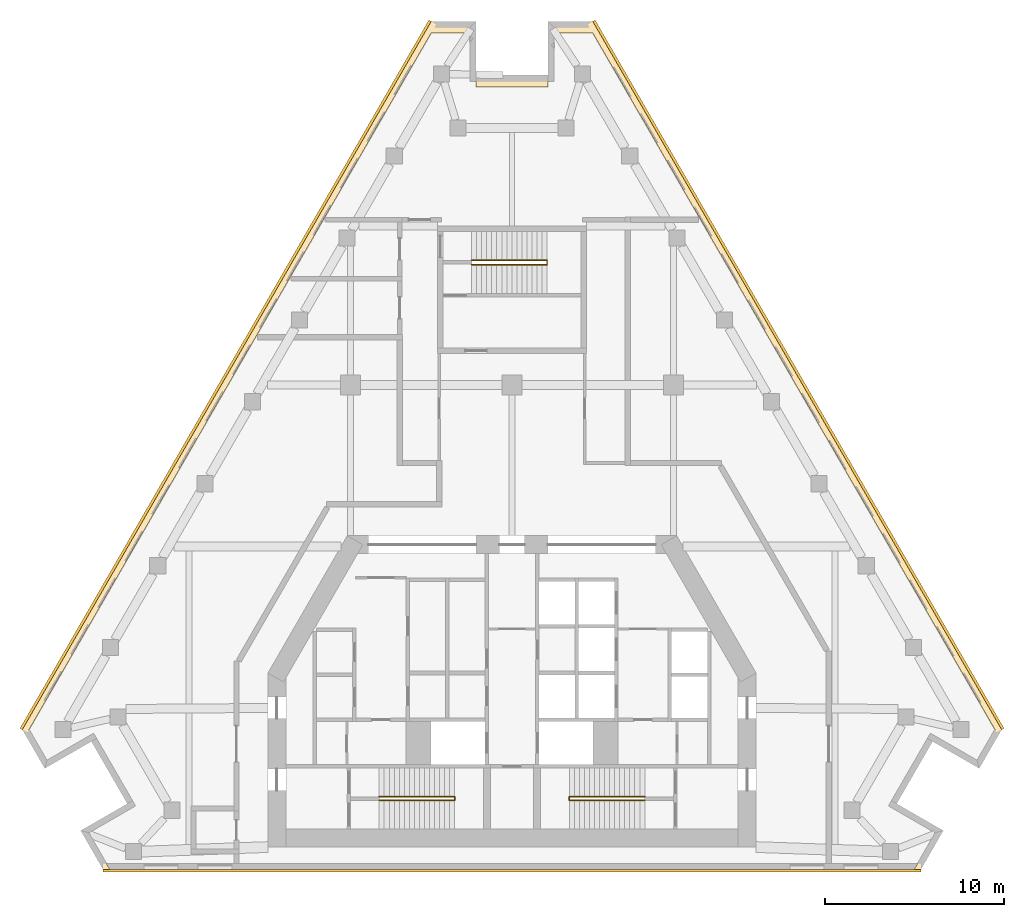
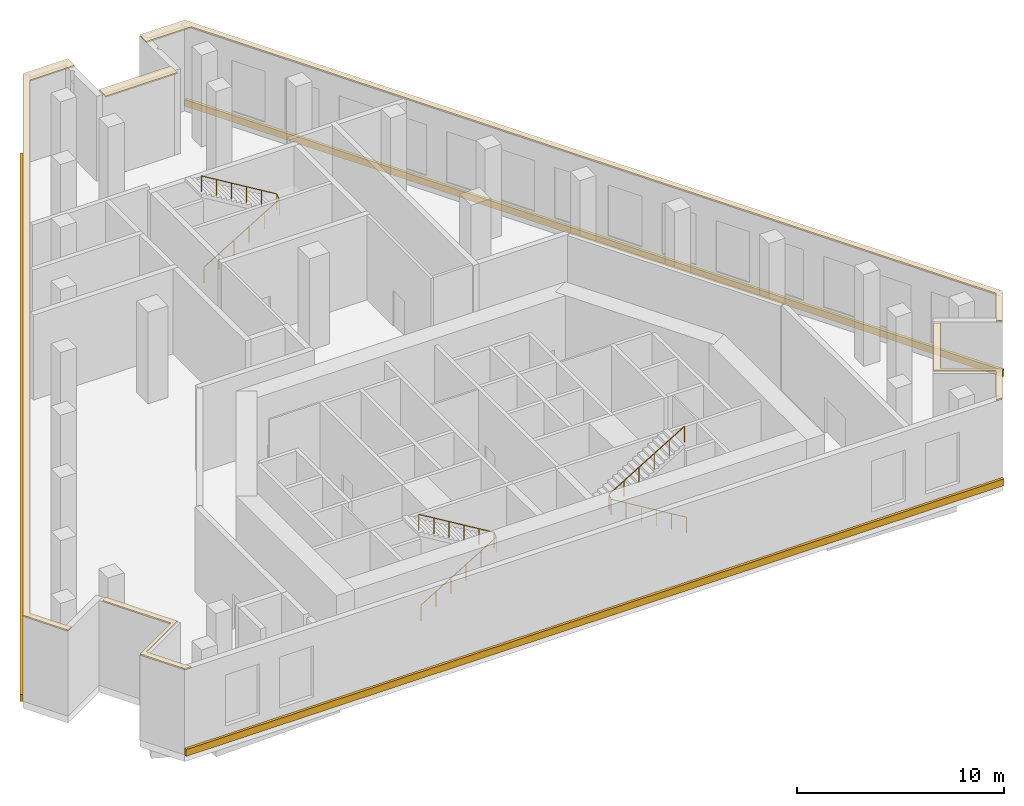
# One storey, part 7 of 7: 8 coverings, 3 railings.
"""IFC4 building model written with IfcOpenShell, lengths in metres."""

from ifc_helpers import new_model, si_unit, direction, frame, origin, origin_2d, place, context, subcontext, project, spatial, polyline, circle, outline, extrude, material, layer, layer_set, type_object, element, save


model = new_model("IFC4")

# Units and contexts
model_context = context("Model", 3, precision=1e-05, world=origin(), true_north=direction((0.0, 1.0)))
body_context = subcontext(model_context, "Body", "Model", "MODEL_VIEW")
ifc_project = project(units=[si_unit("LENGTHUNIT", "METRE"), si_unit("AREAUNIT", "SQUARE_METRE"), si_unit("VOLUMEUNIT", "CUBIC_METRE"), si_unit("PLANEANGLEUNIT", "RADIAN"), si_unit("MASSUNIT", "GRAM", prefix="KILO")], contexts=[model_context])

# Site, building, storey
site_placement = place(None, origin())
site = spatial("IfcSite", under=ifc_project, at=site_placement, CompositionType="ELEMENT")
building_placement = place(site_placement, origin())
building = spatial("IfcBuilding", under=site, at=building_placement, Name="Fogline Exchange Tower", CompositionType="ELEMENT")
storey_placement = place(building_placement, frame((0.0, 0.0, 218.10009765625)))
storey = spatial("IfcBuildingStorey", under=building, at=storey_placement, Name="L49", CompositionType="ELEMENT", Elevation=218.10009765625)

# Coverings
ifc_material_1 = material(Name="Granite", Category="masonry")
ifc_layer = layer(ifc_material_1, 0.080078125)
ifc_layer_set = layer_set([ifc_layer], Name="CP1")
covering_type_1 = type_object("IfcCoveringType", Name="CP1", PredefinedType="USERDEFINED", material=ifc_layer_set)
covering_1_placement = place(storey_placement, frame((0.0, 0.0, 5.0)))
element("IfcCovering", 1, at=covering_1_placement, inside=storey, type_object=covering_type_1, Name="Ledge coping L49", ObjectType="COPING", PredefinedType="USERDEFINED", context=body_context, shape_type="SweptSolid", body=[
    extrude(outline(polyline([(-26.03662109375, 5.629150390625), (-25.757080078125, 5.790283203125), (-26.9140625, 7.794189453125), (-4.5, 46.61669921875), (-2.0, 46.61669921875), (-2.0, 47.26171875), (-4.5, 47.26171875), (-27.28662109375, 7.794189453125), (-26.03662109375, 5.629150390625)])), origin(), (0.0, 0.0, 1.0), 0.079833984375),
])
covering_2_placement = place(storey_placement, frame((0.0, 0.0, 5.0)))
element("IfcCovering", 2, at=covering_2_placement, inside=storey, type_object=covering_type_1, Name="Ledge coping L49", ObjectType="COPING", PredefinedType="USERDEFINED", context=body_context, shape_type="SweptSolid", body=[
    extrude(outline(polyline([(-22.78662109375, 0.0), (-22.4140625, 0.0), (-23.6640625, 2.1650390625), (-21.066162109375, 3.6650390625), (-23.066162109375, 7.129150390625), (-23.345458984375, 6.968017578125), (-21.4384765625, 3.6650390625), (-24.03662109375, 2.1650390625), (-22.78662109375, 0.0)])), origin(), (0.0, 0.0, 1.0), 0.079833984375),
])
covering_3_placement = place(storey_placement, frame((0.0, 0.0, 5.0)))
element("IfcCovering", 3, at=covering_3_placement, inside=storey, type_object=covering_type_1, Name="Ledge coping L49", ObjectType="COPING", PredefinedType="USERDEFINED", context=body_context, shape_type="SweptSolid", body=[
    extrude(outline(polyline([(21.4384765625, 3.6650390625), (23.345458984375, 6.968017578125), (23.066162109375, 7.129150390625), (21.066162109375, 3.6650390625), (23.6640625, 2.1650390625), (22.4140625, 0.0), (22.78662109375, 0.0), (24.03662109375, 2.1650390625), (21.4384765625, 3.6650390625)])), origin(), (0.0, 0.0, 1.0), 0.079833984375),
])
covering_4_placement = place(storey_placement, frame((0.0, 0.0, 5.0)))
element("IfcCovering", 4, at=covering_4_placement, inside=storey, type_object=covering_type_1, Name="Ledge coping L49", ObjectType="COPING", PredefinedType="USERDEFINED", context=body_context, shape_type="SweptSolid", body=[
    extrude(outline(polyline([(2.0, 47.26171875), (2.0, 46.61669921875), (4.5, 46.61669921875), (26.9140625, 7.794189453125), (25.757080078125, 5.790283203125), (26.03662109375, 5.629150390625), (27.28662109375, 7.794189453125), (4.5, 47.26171875), (2.0, 47.26171875)])), origin(), (0.0, 0.0, 1.0), 0.079833984375),
])
covering_5_placement = place(storey_placement, frame((0.0, 0.0, 5.0)))
element("IfcCovering", 5, at=covering_5_placement, inside=storey, type_object=covering_type_1, Name="Ledge coping L49", ObjectType="COPING", PredefinedType="USERDEFINED", context=body_context, shape_type="SweptSolid", body=[
    extrude(outline(polyline([(2.0, 44.26171875), (-2.0, 44.26171875), (-2.0, 43.61669921875), (2.0, 43.61669921875), (2.0, 44.26171875)])), origin(), (0.0, 0.0, 1.0), 0.079833984375),
])

# Railings
ifc_material_2 = material(Name="Steel Q235B", Category="steel")
railing_type = type_object("IfcRailingType", Name="RL-HR", PredefinedType="HANDRAIL", material=ifc_material_2)
railing_1_placement = place(storey_placement, frame((-7.39990234375, 3.85009765625, 0.168701171875)))
element("IfcRailing", 6, at=railing_1_placement, inside=storey, type_object=railing_type, Name="Handrail ST1", PredefinedType="HANDRAIL", context=body_context, shape_type="SweptSolid", body=[
    extrude(circle(Radius=0.02392578125, at=origin_2d()), frame((0.0, 0.0, 0.92578125), z_axis=(0.856476492594, 0.0, 0.516186030065), x_axis=(0.0, 1.0, 0.0)), (0.0, 0.0, 1.0), 4.90380859375),
    extrude(circle(Radius=0.02392578125, at=origin_2d()), frame((4.199951171875, 0.0, 3.45703125), z_axis=(0.0, 0.764305856904, 0.644853903688), x_axis=(-1.0, 0.0, 0.0)), (0.0, 0.0, 1.0), 0.26171875),
    extrude(circle(Radius=0.02392578125, at=origin_2d()), frame((4.199951171875, 0.199951171875, 3.6259765625), z_axis=(-0.856476492594, 0.0, 0.516186030065), x_axis=(0.0, -1.0, 0.0)), (0.0, 0.0, 1.0), 4.90380859375),
    extrude(circle(Radius=0.02099609375, at=origin_2d()), origin(), (0.0, 0.0, 1.0), 0.90185546875),
    extrude(circle(Radius=0.02099609375, at=origin_2d()), frame((0.840087890625, 0.0, 0.50634765625)), (0.0, 0.0, 1.0), 0.90185546875),
    extrude(circle(Radius=0.02099609375, at=origin_2d()), frame((1.679931640625, 0.0, 1.012451171875)), (0.0, 0.0, 1.0), 0.90185546875),
    extrude(circle(Radius=0.02099609375, at=origin_2d()), frame((2.52001953125, 0.0, 1.518798828125)), (0.0, 0.0, 1.0), 0.90185546875),
    extrude(circle(Radius=0.02099609375, at=origin_2d()), frame((3.35986328125, 0.0, 2.02490234375)), (0.0, 0.0, 1.0), 0.90185546875),
    extrude(circle(Radius=0.02099609375, at=origin_2d()), frame((4.199951171875, 0.0, 2.53125)), (0.0, 0.0, 1.0), 0.90185546875),
    extrude(circle(Radius=0.02099609375, at=origin_2d()), frame((4.199951171875, 0.199951171875, 2.699951171875)), (0.0, 0.0, 1.0), 0.90185546875),
    extrude(circle(Radius=0.02099609375, at=origin_2d()), frame((3.35986328125, 0.199951171875, 3.206298828125)), (0.0, 0.0, 1.0), 0.90185546875),
    extrude(circle(Radius=0.02099609375, at=origin_2d()), frame((2.52001953125, 0.199951171875, 3.71240234375)), (0.0, 0.0, 1.0), 0.90185546875),
    extrude(circle(Radius=0.02099609375, at=origin_2d()), frame((1.679931640625, 0.199951171875, 4.21875)), (0.0, 0.0, 1.0), 0.90185546875),
    extrude(circle(Radius=0.02099609375, at=origin_2d()), frame((0.840087890625, 0.199951171875, 4.724853515625)), (0.0, 0.0, 1.0), 0.90185546875),
    extrude(circle(Radius=0.02099609375, at=origin_2d()), frame((0.0, 0.199951171875, 5.231201171875)), (0.0, 0.0, 1.0), 0.90185546875),
])
railing_2_placement = place(storey_placement, frame((7.39990234375, 3.85009765625, 0.168701171875)))
element("IfcRailing", 7, at=railing_2_placement, inside=storey, type_object=railing_type, Name="Handrail ST2", PredefinedType="HANDRAIL", context=body_context, shape_type="SweptSolid", body=[
    extrude(circle(Radius=0.02392578125, at=origin_2d()), frame((0.0, 0.0, 0.92578125), z_axis=(-0.856476492594, 0.0, 0.516186030065), x_axis=(0.0, -1.0, 0.0)), (0.0, 0.0, 1.0), 4.90380859375),
    extrude(circle(Radius=0.02392578125, at=origin_2d()), frame((-4.199951171875, 0.0, 3.45703125), z_axis=(0.0, 0.764305856904, 0.644853903688), x_axis=(-1.0, 0.0, 0.0)), (0.0, 0.0, 1.0), 0.26171875),
    extrude(circle(Radius=0.02392578125, at=origin_2d()), frame((-4.199951171875, 0.199951171875, 3.6259765625), z_axis=(0.856476492594, 0.0, 0.516186030065), x_axis=(0.0, 1.0, 0.0)), (0.0, 0.0, 1.0), 4.90380859375),
    extrude(circle(Radius=0.02099609375, at=origin_2d()), origin(), (0.0, 0.0, 1.0), 0.90185546875),
    extrude(circle(Radius=0.02099609375, at=origin_2d()), frame((-0.840087890625, 0.0, 0.50634765625)), (0.0, 0.0, 1.0), 0.90185546875),
    extrude(circle(Radius=0.02099609375, at=origin_2d()), frame((-1.679931640625, 0.0, 1.012451171875)), (0.0, 0.0, 1.0), 0.90185546875),
    extrude(circle(Radius=0.02099609375, at=origin_2d()), frame((-2.52001953125, 0.0, 1.518798828125)), (0.0, 0.0, 1.0), 0.90185546875),
    extrude(circle(Radius=0.02099609375, at=origin_2d()), frame((-3.35986328125, 0.0, 2.02490234375)), (0.0, 0.0, 1.0), 0.90185546875),
    extrude(circle(Radius=0.02099609375, at=origin_2d()), frame((-4.199951171875, 0.0, 2.53125)), (0.0, 0.0, 1.0), 0.90185546875),
    extrude(circle(Radius=0.02099609375, at=origin_2d()), frame((-4.199951171875, 0.199951171875, 2.699951171875)), (0.0, 0.0, 1.0), 0.90185546875),
    extrude(circle(Radius=0.02099609375, at=origin_2d()), frame((-3.35986328125, 0.199951171875, 3.206298828125)), (0.0, 0.0, 1.0), 0.90185546875),
    extrude(circle(Radius=0.02099609375, at=origin_2d()), frame((-2.52001953125, 0.199951171875, 3.71240234375)), (0.0, 0.0, 1.0), 0.90185546875),
    extrude(circle(Radius=0.02099609375, at=origin_2d()), frame((-1.679931640625, 0.199951171875, 4.21875)), (0.0, 0.0, 1.0), 0.90185546875),
    extrude(circle(Radius=0.02099609375, at=origin_2d()), frame((-0.840087890625, 0.199951171875, 4.724853515625)), (0.0, 0.0, 1.0), 0.90185546875),
    extrude(circle(Radius=0.02099609375, at=origin_2d()), frame((0.0, 0.199951171875, 5.231201171875)), (0.0, 0.0, 1.0), 0.90185546875),
])
railing_3_placement = place(storey_placement, frame((-2.25, 33.70703125, 0.168701171875)))
element("IfcRailing", 8, at=railing_3_placement, inside=storey, type_object=railing_type, Name="Handrail ST3", PredefinedType="HANDRAIL", context=body_context, shape_type="SweptSolid", body=[
    extrude(circle(Radius=0.02392578125, at=origin_2d()), frame((0.0, 0.0, 0.92578125), z_axis=(0.856476492594, 0.0, 0.516186030065), x_axis=(0.0, 1.0, 0.0)), (0.0, 0.0, 1.0), 4.90380859375),
    extrude(circle(Radius=0.02392578125, at=origin_2d()), frame((4.199951171875, 0.0, 3.45703125), z_axis=(0.0, 0.828923742226, 0.559361626834), x_axis=(-1.0, 0.0, 0.0)), (0.0, 0.0, 1.0), 0.301513671875),
    extrude(circle(Radius=0.02392578125, at=origin_2d()), frame((4.199951171875, 0.25, 3.6259765625), z_axis=(-0.856476492594, 0.0, 0.516186030065), x_axis=(0.0, -1.0, 0.0)), (0.0, 0.0, 1.0), 4.90380859375),
    extrude(circle(Radius=0.02099609375, at=origin_2d()), origin(), (0.0, 0.0, 1.0), 0.90185546875),
    extrude(circle(Radius=0.02099609375, at=origin_2d()), frame((0.840087890625, 0.0, 0.50634765625)), (0.0, 0.0, 1.0), 0.90185546875),
    extrude(circle(Radius=0.02099609375, at=origin_2d()), frame((1.679931640625, 0.0, 1.012451171875)), (0.0, 0.0, 1.0), 0.90185546875),
    extrude(circle(Radius=0.02099609375, at=origin_2d()), frame((2.52001953125, 0.0, 1.518798828125)), (0.0, 0.0, 1.0), 0.90185546875),
    extrude(circle(Radius=0.02099609375, at=origin_2d()), frame((3.35986328125, 0.0, 2.02490234375)), (0.0, 0.0, 1.0), 0.90185546875),
    extrude(circle(Radius=0.02099609375, at=origin_2d()), frame((4.199951171875, 0.0, 2.53125)), (0.0, 0.0, 1.0), 0.90185546875),
    extrude(circle(Radius=0.02099609375, at=origin_2d()), frame((4.199951171875, 0.25, 2.699951171875)), (0.0, 0.0, 1.0), 0.90185546875),
    extrude(circle(Radius=0.02099609375, at=origin_2d()), frame((3.35986328125, 0.25, 3.206298828125)), (0.0, 0.0, 1.0), 0.90185546875),
    extrude(circle(Radius=0.02099609375, at=origin_2d()), frame((2.52001953125, 0.25, 3.71240234375)), (0.0, 0.0, 1.0), 0.90185546875),
    extrude(circle(Radius=0.02099609375, at=origin_2d()), frame((1.679931640625, 0.25, 4.21875)), (0.0, 0.0, 1.0), 0.90185546875),
    extrude(circle(Radius=0.02099609375, at=origin_2d()), frame((0.840087890625, 0.25, 4.724853515625)), (0.0, 0.0, 1.0), 0.90185546875),
    extrude(circle(Radius=0.02099609375, at=origin_2d()), frame((0.0, 0.25, 5.231201171875)), (0.0, 0.0, 1.0), 0.90185546875),
])

# Coverings
ifc_material_3 = material(Name="Brick masonry", Category="masonry")
covering_type_2 = type_object("IfcCoveringType", Name="SB2", PredefinedType="CLADDING", material=ifc_material_3)
covering_6_placement = place(storey_placement, origin())
element("IfcCovering", 9, at=covering_6_placement, inside=storey, type_object=covering_type_2, Name="Stringcourse band L49 S", PredefinedType="CLADDING", context=body_context, shape_type="SweptSolid", body=[
    extrude(outline(polyline([(-22.78662109375, 0.0), (-22.78662109375, -0.14990234375), (22.78662109375, -0.14990234375), (22.78662109375, 0.0), (-22.78662109375, 0.0)])), origin(), (0.0, 0.0, 1.0), 0.39990234375),
])
covering_7_placement = place(storey_placement, origin())
element("IfcCovering", 10, at=covering_7_placement, inside=storey, type_object=covering_type_2, Name="Stringcourse band L49 E", PredefinedType="CLADDING", context=body_context, shape_type="SweptSolid", body=[
    extrude(outline(polyline([(27.28662109375, 7.794189453125), (27.41650390625, 7.869140625), (4.6298828125, 47.336669921875), (4.5, 47.26171875), (27.28662109375, 7.794189453125)])), origin(), (0.0, 0.0, 1.0), 0.39990234375),
])
covering_8_placement = place(storey_placement, origin())
element("IfcCovering", 11, at=covering_8_placement, inside=storey, type_object=covering_type_2, Name="Stringcourse band L49 W", PredefinedType="CLADDING", context=body_context, shape_type="SweptSolid", body=[
    extrude(outline(polyline([(-4.5, 47.26171875), (-4.6298828125, 47.336669921875), (-27.41650390625, 7.869140625), (-27.28662109375, 7.794189453125), (-4.5, 47.26171875)])), origin(), (0.0, 0.0, 1.0), 0.39990234375),
])

save(model, "model.ifc")
